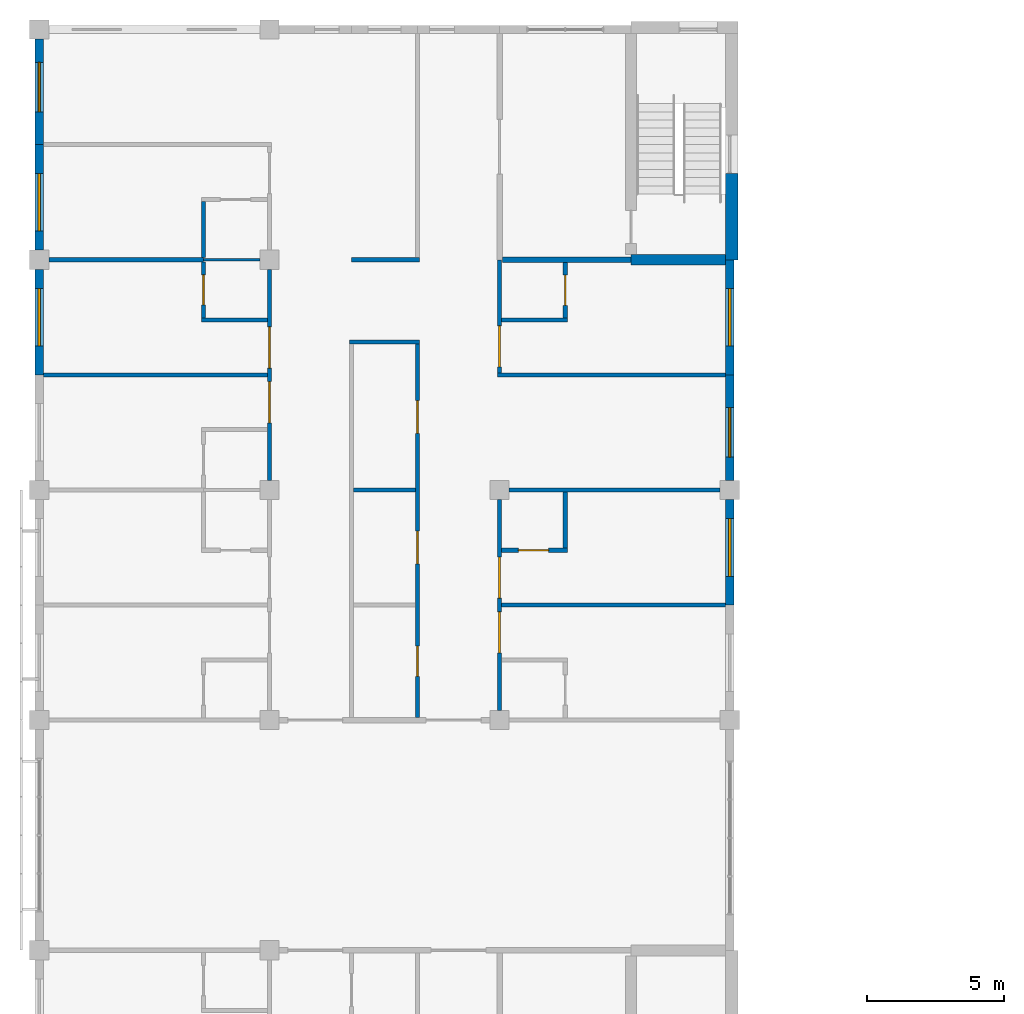
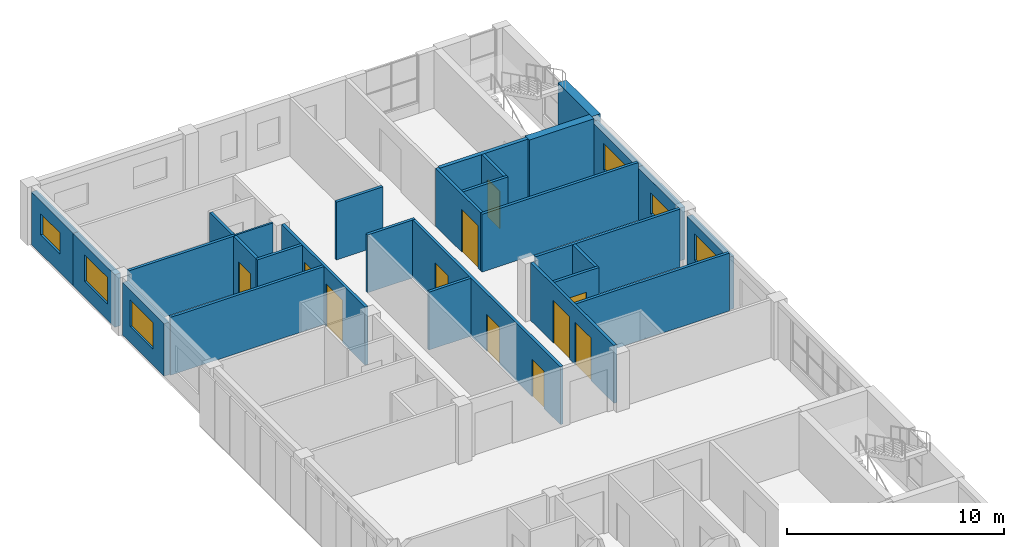
# One storey, part 33 of 45: 29 walls, 11 doors, 6 windows, 17 openings.
"""IFC4 building model written with IfcOpenShell, lengths in metres."""

from ifc_helpers import new_model, si_unit, direction, frame, frame_2d, origin, place, context, subcontext, project, spatial, rectangle, extrude, material, layer, layer_set, type_object, element, fill, save


model = new_model("IFC4")

# Units and contexts
model_context = context("Model", 3, precision=1e-05, world=origin(), true_north=direction((0.0, 1.0)))
body_context = subcontext(model_context, "Body", "Model", "MODEL_VIEW")
ifc_project = project(units=[si_unit("LENGTHUNIT", "METRE"), si_unit("AREAUNIT", "SQUARE_METRE"), si_unit("VOLUMEUNIT", "CUBIC_METRE"), si_unit("PLANEANGLEUNIT", "RADIAN"), si_unit("MASSUNIT", "GRAM", prefix="KILO")], contexts=[model_context])

# Site, building, storey
site_placement = place(None, origin())
site = spatial("IfcSite", under=ifc_project, at=site_placement, CompositionType="ELEMENT")
building_placement = place(site_placement, origin())
building = spatial("IfcBuilding", under=site, at=building_placement, Name="Yavir Park General Hospital", CompositionType="ELEMENT")
storey_placement = place(building_placement, frame((0.0, 0.0, 22.5)))
storey = spatial("IfcBuildingStorey", under=building, at=storey_placement, Name="L05", CompositionType="ELEMENT", Elevation=22.5)

# Walls
ifc_material_1 = material(Name="Double gypsum board fire partition on steel studs", Category="steel")
ifc_layer_1 = layer(ifc_material_1, 0.199951171875)
ifc_layer_set_1 = layer_set([ifc_layer_1], Name="Double gypsum board fire partition on steel studs")
wall_type_1 = type_object("IfcWallType", Name="Fire-rated partition 200, EI 60", PredefinedType="PARTITIONING", material=ifc_layer_set_1)
wall_1_placement = place(storey_placement, frame((16.89990234375, 109.199951171875, 0.0), z_axis=(0.0, 0.0, 1.0), x_axis=(1.0, 0.0, 0.0)))
element("IfcWall", 1, at=wall_1_placement, inside=storey, type_object=wall_type_1, Name="FP20 L05-136", PredefinedType="PARTITIONING", context=body_context, shape_type="SweptSolid", body=[
    extrude(rectangle(XDim=4.7001953125, YDim=0.199951171875, at=frame_2d((2.35009765625, 0.0))), origin(), (0.0, 0.0, 1.0), 3.260009765625),
])
ifc_material_2 = material(Name="Gypsum board partition on steel studs", Category="steel")
ifc_layer_2 = layer(ifc_material_2, 0.10009765625)
ifc_layer_set_2 = layer_set([ifc_layer_2], Name="Gypsum board partition on steel studs")
wall_type_2 = type_object("IfcWallType", Name="Gypsum board partition 100", PredefinedType="PARTITIONING", material=ifc_layer_set_2)
wall_2_placement = place(storey_placement, frame((6.0, 109.199951171875, 0.0), z_axis=(0.0, 0.0, 1.0), x_axis=(1.0, 0.0, 0.0)))
element("IfcWall", 2, at=wall_2_placement, inside=storey, type_object=wall_type_2, Name="P10 L05-134", PredefinedType="PARTITIONING", context=body_context, shape_type="SweptSolid", body=[
    extrude(rectangle(XDim=2.050048828125, YDim=0.10009765625, at=frame_2d((1.02490234375, 0.0))), origin(), (0.0, 0.0, 1.0), 3.260009765625),
])
ifc_material_3 = material(Name="Gypsum board partition on steel studs", Category="steel")
ifc_layer_3 = layer(ifc_material_3, 0.14990234375)
ifc_layer_set_3 = layer_set([ifc_layer_3], Name="Gypsum board partition on steel studs")
wall_type_3 = type_object("IfcWallType", Name="Gypsum board partition 150", PredefinedType="PARTITIONING", material=ifc_layer_set_3)
wall_3_placement = place(storey_placement, frame((16.875, 96.60009765625, 0.0), z_axis=(0.0, 0.0, 1.0), x_axis=(1.0, 0.0, 0.0)))
element("IfcWall", 3, at=wall_3_placement, inside=storey, type_object=wall_type_3, Name="P15 L05-120", PredefinedType="PARTITIONING", context=body_context, shape_type="SweptSolid", body=[
    extrude(rectangle(XDim=8.175048828125, YDim=0.14990234375, at=frame_2d((4.08740234375, 0.0))), origin(), (0.0, 0.0, 1.0), 3.260009765625),
])

# Wall, opening, door
wall_4_placement = place(storey_placement, frame((16.875, 98.60009765625, 0.0), z_axis=(0.0, 0.0, 1.0), x_axis=(1.0, 0.0, 0.0)))
wall_4 = element("IfcWall", 4, at=wall_4_placement, inside=storey, type_object=wall_type_3, Name="P15 L05-122", PredefinedType="PARTITIONING", context=body_context, shape_type="SweptSolid", body=[
    extrude(rectangle(XDim=2.39990234375, YDim=0.14990234375, at=frame_2d((1.199951171875, 0.0))), origin(), (0.0, 0.0, 1.0), 3.260009765625),
])
opening_1_placement = place(wall_4_placement, frame((0.612548828125, 0.0, 0.0)))
opening_1 = element("IfcOpeningElement", 5, at=opening_1_placement, cuts=wall_4, Name="Opening L05.D073", PredefinedType="OPENING", context=body_context, shape_type="SweptSolid", body=[
    extrude(rectangle(XDim=1.10009765625, YDim=2.10009765625, at=frame_2d((0.550048828125, 1.050048828125))), frame((0.0, 0.0849609375, 0.0), z_axis=(0.0, -1.0, 0.0), x_axis=(1.0, 0.0, 0.0)), (0.0, 0.0, 1.0), 0.169921875),
])
ifc_material_4 = material(Name="Hollow metal frame, solid-core timber leaf", Category="wood")
door_type_1 = type_object("IfcDoorType", Name="Single swing door 1100 x 2100", OperationType="SINGLE_SWING_LEFT", PredefinedType="DOOR", material=ifc_material_4)
door_1_placement = place(opening_1_placement, origin())
door_1 = element("IfcDoor", 6, at=door_1_placement, inside=storey, type_object=door_type_1, Name="L05.D073", OperationType="SINGLE_SWING_LEFT", OverallHeight=2.10009765625, OverallWidth=1.10009765625, PredefinedType="DOOR", context=body_context, shape_type="SweptSolid", body=[
    extrude(rectangle(XDim=1.10009765625, YDim=2.10009765625, at=frame_2d((0.550048828125, 1.050048828125))), frame((0.0, 0.02490234375, 0.0), z_axis=(0.0, -1.0, 0.0), x_axis=(1.0, 0.0, 0.0)), (0.0, 0.0, 1.0), 0.050048828125),
])
fill(opening_1, door_1)

# Walls
wall_5_placement = place(storey_placement, frame((11.47509765625, 100.800048828125, 0.0), z_axis=(0.0, 0.0, 1.0), x_axis=(1.0, 0.0, 0.0)))
element("IfcWall", 7, at=wall_5_placement, inside=storey, type_object=wall_type_3, Name="P15 L05-125", PredefinedType="PARTITIONING", context=body_context, shape_type="SweptSolid", body=[
    extrude(rectangle(XDim=2.25, YDim=0.14990234375, at=frame_2d((1.125, 0.0))), origin(), (0.0, 0.0, 1.0), 3.260009765625),
])
wall_6_placement = place(storey_placement, frame((17.14990234375, 100.800048828125, 0.0), z_axis=(0.0, 0.0, 1.0), x_axis=(1.0, 0.0, 0.0)))
element("IfcWall", 8, at=wall_6_placement, inside=storey, type_object=wall_type_3, Name="P15 L05-126", PredefinedType="PARTITIONING", context=body_context, shape_type="SweptSolid", body=[
    extrude(rectangle(XDim=7.7001953125, YDim=0.14990234375, at=frame_2d((3.85009765625, 0.0))), origin(), (0.0, 0.0, 1.0), 3.260009765625),
])
wall_7_placement = place(storey_placement, frame((0.14990234375, 105.0, 0.0), z_axis=(0.0, 0.0, 1.0), x_axis=(1.0, 0.0, 0.0)))
element("IfcWall", 9, at=wall_7_placement, inside=storey, type_object=wall_type_3, Name="P15 L05-128", PredefinedType="PARTITIONING", context=body_context, shape_type="SweptSolid", body=[
    extrude(rectangle(XDim=8.175048828125, YDim=0.14990234375, at=frame_2d((4.08740234375, 0.0))), origin(), (0.0, 0.0, 1.0), 3.260009765625),
])
wall_8_placement = place(storey_placement, frame((16.72509765625, 105.0, 0.0), z_axis=(0.0, 0.0, 1.0), x_axis=(1.0, 0.0, 0.0)))
element("IfcWall", 10, at=wall_8_placement, inside=storey, type_object=wall_type_3, Name="P15 L05-129", PredefinedType="PARTITIONING", context=body_context, shape_type="SweptSolid", body=[
    extrude(rectangle(XDim=8.324951171875, YDim=0.14990234375, at=frame_2d((4.16259765625, 0.0))), origin(), (0.0, 0.0, 1.0), 3.260009765625),
])
wall_9_placement = place(storey_placement, frame((11.324951171875, 106.199951171875, 0.0), z_axis=(0.0, 0.0, 1.0), x_axis=(1.0, 0.0, 0.0)))
element("IfcWall", 11, at=wall_9_placement, inside=storey, type_object=wall_type_3, Name="P15 L05-130", PredefinedType="PARTITIONING", context=body_context, shape_type="SweptSolid", body=[
    extrude(rectangle(XDim=2.550048828125, YDim=0.14990234375, at=frame_2d((1.27490234375, 0.0))), origin(), (0.0, 0.0, 1.0), 3.260009765625),
])
for number, where, z_axis, x_axis, name in (
    (12, (5.925048828125, 107.0, 0.0), (0.0, 0.0, 1.0), (1.0, 0.0, 0.0), "P15 L05-131"),
    (13, (16.875, 107.0, 0.0), (0.0, 0.0, 1.0), (1.0, 0.0, 0.0), "P15 L05-132"),
):
    element("IfcWall", number, at=place(storey_placement, frame(where, z_axis=z_axis, x_axis=x_axis)), inside=storey, type_object=wall_type_3, Name=name, PredefinedType="PARTITIONING", context=body_context, shape_type="SweptSolid", body=[
        extrude(rectangle(XDim=2.39990234375, YDim=0.14990234375, at=frame_2d((1.199951171875, 0.0))), origin(), (0.0, 0.0, 1.0), 3.260009765625),
    ])
wall_10_placement = place(storey_placement, frame((0.35009765625, 109.199951171875, 0.0), z_axis=(0.0, 0.0, 1.0), x_axis=(1.0, 0.0, 0.0)))
element("IfcWall", 14, at=wall_10_placement, inside=storey, type_object=wall_type_3, Name="P15 L05-133", PredefinedType="PARTITIONING", context=body_context, shape_type="SweptSolid", body=[
    extrude(rectangle(XDim=5.64990234375, YDim=0.14990234375, at=frame_2d((2.824951171875, 0.0))), origin(), (0.0, 0.0, 1.0), 3.260009765625),
])
wall_11_placement = place(storey_placement, frame((11.39990234375, 109.199951171875, 0.0), z_axis=(0.0, 0.0, 1.0), x_axis=(1.0, 0.0, 0.0)))
element("IfcWall", 15, at=wall_11_placement, inside=storey, type_object=wall_type_3, Name="P15 L05-135", PredefinedType="PARTITIONING", context=body_context, shape_type="SweptSolid", body=[
    extrude(rectangle(XDim=2.47509765625, YDim=0.14990234375, at=frame_2d((1.237548828125, 0.0))), origin(), (0.0, 0.0, 1.0), 3.260009765625),
])

# Wall, opening, door
wall_12_placement = place(storey_placement, frame((6.0, 107.074951171875, 0.0), z_axis=(0.0, 0.0, 1.0), x_axis=(0.0, 1.0, 0.0)))
wall_12 = element("IfcWall", 16, at=wall_12_placement, inside=storey, type_object=wall_type_3, Name="P15 L05-156", PredefinedType="PARTITIONING", context=body_context, shape_type="SweptSolid", body=[
    extrude(rectangle(XDim=2.050048828125, YDim=0.14990234375, at=frame_2d((1.02490234375, 0.0))), origin(), (0.0, 0.0, 1.0), 3.260009765625),
])
opening_2_placement = place(wall_12_placement, frame((0.47509765625, 0.0, 0.0)))
opening_2 = element("IfcOpeningElement", 17, at=opening_2_placement, cuts=wall_12, Name="Opening L05.D090", PredefinedType="OPENING", context=body_context, shape_type="SweptSolid", body=[
    extrude(rectangle(XDim=1.10009765625, YDim=2.10009765625, at=frame_2d((0.550048828125, 1.050048828125))), frame((0.0, 0.0849609375, 0.0), z_axis=(0.0, -1.0, 0.0), x_axis=(1.0, 0.0, 0.0)), (0.0, 0.0, 1.0), 0.169921875),
])
door_2_placement = place(opening_2_placement, origin())
door_2 = element("IfcDoor", 18, at=door_2_placement, inside=storey, type_object=door_type_1, Name="L05.D090", OperationType="SINGLE_SWING_LEFT", OverallHeight=2.10009765625, OverallWidth=1.10009765625, PredefinedType="DOOR", context=body_context, shape_type="SweptSolid", body=[
    extrude(rectangle(XDim=1.10009765625, YDim=2.10009765625, at=frame_2d((0.550048828125, 1.050048828125))), frame((0.0, 0.02490234375, 0.0), z_axis=(0.0, -1.0, 0.0), x_axis=(1.0, 0.0, 0.0)), (0.0, 0.0, 1.0), 0.050048828125),
])
fill(opening_2, door_2)

# Wall
wall_13_placement = place(storey_placement, frame((6.0, 109.27490234375, 0.0), z_axis=(0.0, 0.0, 1.0), x_axis=(0.0, 1.0, 0.0)))
element("IfcWall", 19, at=wall_13_placement, inside=storey, type_object=wall_type_3, Name="P15 L05-157", PredefinedType="PARTITIONING", context=body_context, shape_type="SweptSolid", body=[
    extrude(rectangle(XDim=2.050048828125, YDim=0.14990234375, at=frame_2d((1.02490234375, 0.0))), origin(), (0.0, 0.0, 1.0), 3.260009765625),
])

# Wall, openings, doors
wall_14_placement = place(storey_placement, frame((8.39990234375, 101.14990234375, 0.0), z_axis=(0.0, 0.0, 1.0), x_axis=(0.0, 1.0, 0.0)))
wall_14 = element("IfcWall", 20, at=wall_14_placement, inside=storey, type_object=wall_type_3, Name="P15 L05-170", PredefinedType="PARTITIONING", context=body_context, shape_type="SweptSolid", body=[
    extrude(rectangle(XDim=7.7001953125, YDim=0.14990234375, at=frame_2d((3.85009765625, 0.0))), origin(), (0.0, 0.0, 1.0), 3.260009765625),
])
opening_3_placement = place(wall_14_placement, frame((2.10009765625, 0.0, 0.0)))
opening_3 = element("IfcOpeningElement", 21, at=opening_3_placement, cuts=wall_14, Name="Opening L05.D104", PredefinedType="OPENING", context=body_context, shape_type="SweptSolid", body=[
    extrude(rectangle(XDim=1.5, YDim=2.39990234375, at=frame_2d((0.75, 1.199951171875))), frame((0.0, 0.0849609375, 0.0), z_axis=(0.0, -1.0, 0.0), x_axis=(1.0, 0.0, 0.0)), (0.0, 0.0, 1.0), 0.169921875),
])
opening_4_placement = place(wall_14_placement, frame((4.10009765625, 0.0, 0.0)))
opening_4 = element("IfcOpeningElement", 22, at=opening_4_placement, cuts=wall_14, Name="Opening L05.D105", PredefinedType="OPENING", context=body_context, shape_type="SweptSolid", body=[
    extrude(rectangle(XDim=1.5, YDim=2.39990234375, at=frame_2d((0.75, 1.199951171875))), frame((0.0, 0.0849609375, 0.0), z_axis=(0.0, -1.0, 0.0), x_axis=(1.0, 0.0, 0.0)), (0.0, 0.0, 1.0), 0.169921875),
])
ifc_material_5 = material(Name="Solid-core timber leaves, push plates, kick plates", Category="wood")
door_type_2 = type_object("IfcDoorType", Name="Bed door, unequal leaves 1500 x 2400", OperationType="DOUBLE_DOOR_SINGLE_SWING", PredefinedType="DOOR", material=ifc_material_5)
door_3_placement = place(opening_3_placement, origin())
door_3 = element("IfcDoor", 23, at=door_3_placement, inside=storey, type_object=door_type_2, Name="L05.D104", OperationType="SINGLE_SWING_RIGHT", OverallHeight=2.39990234375, OverallWidth=1.5, PredefinedType="DOOR", context=body_context, shape_type="SweptSolid", body=[
    extrude(rectangle(XDim=1.5, YDim=2.39990234375, at=frame_2d((0.75, 1.199951171875))), frame((0.0, 0.030029296875, 0.0), z_axis=(0.0, -1.0, 0.0), x_axis=(1.0, 0.0, 0.0)), (0.0, 0.0, 1.0), 0.06005859375),
])
fill(opening_3, door_3)
door_4_placement = place(opening_4_placement, origin())
door_4 = element("IfcDoor", 24, at=door_4_placement, inside=storey, type_object=door_type_2, Name="L05.D105", OperationType="SINGLE_SWING_RIGHT", OverallHeight=2.39990234375, OverallWidth=1.5, PredefinedType="DOOR", context=body_context, shape_type="SweptSolid", body=[
    extrude(rectangle(XDim=1.5, YDim=2.39990234375, at=frame_2d((0.75, 1.199951171875))), frame((0.0, 0.030029296875, 0.0), z_axis=(0.0, -1.0, 0.0), x_axis=(1.0, 0.0, 0.0)), (0.0, 0.0, 1.0), 0.06005859375),
])
fill(opening_4, door_4)

wall_15_placement = place(storey_placement, frame((13.800048828125, 92.5, 0.0), z_axis=(0.0, 0.0, 1.0), x_axis=(0.0, 1.0, 0.0)))
wall_15 = element("IfcWall", 25, at=wall_15_placement, inside=storey, type_object=wall_type_3, Name="P15 L05-181", PredefinedType="PARTITIONING", context=body_context, shape_type="SweptSolid", body=[
    extrude(rectangle(XDim=13.625, YDim=0.14990234375, at=frame_2d((6.8125, 0.0))), origin(), (0.0, 0.0, 1.0), 3.260009765625),
])
opening_5_placement = place(wall_15_placement, frame((1.5, 0.0, 0.0)))
opening_5 = element("IfcOpeningElement", 26, at=opening_5_placement, cuts=wall_15, Name="Opening L05.D116", PredefinedType="OPENING", context=body_context, shape_type="SweptSolid", body=[
    extrude(rectangle(XDim=1.10009765625, YDim=2.10009765625, at=frame_2d((0.550048828125, 1.050048828125))), frame((0.0, 0.0849609375, 0.0), z_axis=(0.0, -1.0, 0.0), x_axis=(1.0, 0.0, 0.0)), (0.0, 0.0, 1.0), 0.169921875),
])
opening_6_placement = place(wall_15_placement, frame((5.60009765625, 0.0, 0.0)))
opening_6 = element("IfcOpeningElement", 27, at=opening_6_placement, cuts=wall_15, Name="Opening L05.D117", PredefinedType="OPENING", context=body_context, shape_type="SweptSolid", body=[
    extrude(rectangle(XDim=1.199951171875, YDim=2.10009765625, at=frame_2d((0.60009765625, 1.050048828125))), frame((0.0, 0.0849609375, 0.0), z_axis=(0.0, -1.0, 0.0), x_axis=(1.0, 0.0, 0.0)), (0.0, 0.0, 1.0), 0.169921875),
])
opening_7_placement = place(wall_15_placement, frame((10.362548828125, 0.0, 0.0)))
opening_7 = element("IfcOpeningElement", 28, at=opening_7_placement, cuts=wall_15, Name="Opening L05.D118", PredefinedType="OPENING", context=body_context, shape_type="SweptSolid", body=[
    extrude(rectangle(XDim=1.199951171875, YDim=2.10009765625, at=frame_2d((0.60009765625, 1.050048828125))), frame((0.0, 0.0849609375, 0.0), z_axis=(0.0, -1.0, 0.0), x_axis=(1.0, 0.0, 0.0)), (0.0, 0.0, 1.0), 0.169921875),
])
door_5_placement = place(opening_5_placement, origin())
door_5 = element("IfcDoor", 29, at=door_5_placement, inside=storey, type_object=door_type_1, Name="L05.D116", OperationType="SINGLE_SWING_LEFT", OverallHeight=2.10009765625, OverallWidth=1.10009765625, PredefinedType="DOOR", context=body_context, shape_type="SweptSolid", body=[
    extrude(rectangle(XDim=1.10009765625, YDim=2.10009765625, at=frame_2d((0.550048828125, 1.050048828125))), frame((0.0, 0.02490234375, 0.0), z_axis=(0.0, -1.0, 0.0), x_axis=(1.0, 0.0, 0.0)), (0.0, 0.0, 1.0), 0.050048828125),
])
fill(opening_5, door_5)
ifc_material_6 = material(Name="Hollow metal frame, solid-core timber leaf", Category="wood")
door_type_3 = type_object("IfcDoorType", Name="Single swing door 1200 x 2100", OperationType="SINGLE_SWING_LEFT", PredefinedType="DOOR", material=ifc_material_6)
door_6_placement = place(opening_6_placement, origin())
door_6 = element("IfcDoor", 30, at=door_6_placement, inside=storey, type_object=door_type_3, Name="L05.D117", OperationType="SINGLE_SWING_RIGHT", OverallHeight=2.10009765625, OverallWidth=1.199951171875, PredefinedType="DOOR", context=body_context, shape_type="SweptSolid", body=[
    extrude(rectangle(XDim=1.199951171875, YDim=2.10009765625, at=frame_2d((0.60009765625, 1.050048828125))), frame((0.0, 0.02490234375, 0.0), z_axis=(0.0, -1.0, 0.0), x_axis=(1.0, 0.0, 0.0)), (0.0, 0.0, 1.0), 0.050048828125),
])
fill(opening_6, door_6)
door_7_placement = place(opening_7_placement, origin())
door_7 = element("IfcDoor", 31, at=door_7_placement, inside=storey, type_object=door_type_3, Name="L05.D118", OperationType="SINGLE_SWING_RIGHT", OverallHeight=2.10009765625, OverallWidth=1.199951171875, PredefinedType="DOOR", context=body_context, shape_type="SweptSolid", body=[
    extrude(rectangle(XDim=1.199951171875, YDim=2.10009765625, at=frame_2d((0.60009765625, 1.050048828125))), frame((0.0, 0.02490234375, 0.0), z_axis=(0.0, -1.0, 0.0), x_axis=(1.0, 0.0, 0.0)), (0.0, 0.0, 1.0), 0.050048828125),
])
fill(opening_7, door_7)

wall_16_placement = place(storey_placement, frame((16.800048828125, 92.75, 0.0), z_axis=(0.0, 0.0, 1.0), x_axis=(0.0, 1.0, 0.0)))
wall_16 = element("IfcWall", 32, at=wall_16_placement, inside=storey, type_object=wall_type_3, Name="P15 L05-193", PredefinedType="PARTITIONING", context=body_context, shape_type="SweptSolid", body=[
    extrude(rectangle(XDim=7.699951171875, YDim=0.14990234375, at=frame_2d((3.85009765625, 0.0))), origin(), (0.0, 0.0, 1.0), 3.260009765625),
])
opening_8_placement = place(wall_16_placement, frame((2.10009765625, 0.0, 0.0)))
opening_8 = element("IfcOpeningElement", 33, at=opening_8_placement, cuts=wall_16, Name="Opening L05.D128", PredefinedType="OPENING", context=body_context, shape_type="SweptSolid", body=[
    extrude(rectangle(XDim=1.5, YDim=2.39990234375, at=frame_2d((0.75, 1.199951171875))), frame((0.0, 0.0849609375, 0.0), z_axis=(0.0, -1.0, 0.0), x_axis=(1.0, 0.0, 0.0)), (0.0, 0.0, 1.0), 0.169921875),
])
opening_9_placement = place(wall_16_placement, frame((4.10009765625, 0.0, 0.0)))
opening_9 = element("IfcOpeningElement", 34, at=opening_9_placement, cuts=wall_16, Name="Opening L05.D129", PredefinedType="OPENING", context=body_context, shape_type="SweptSolid", body=[
    extrude(rectangle(XDim=1.5, YDim=2.39990234375, at=frame_2d((0.75, 1.199951171875))), frame((0.0, 0.0849609375, 0.0), z_axis=(0.0, -1.0, 0.0), x_axis=(1.0, 0.0, 0.0)), (0.0, 0.0, 1.0), 0.169921875),
])
door_8_placement = place(opening_8_placement, origin())
door_8 = element("IfcDoor", 35, at=door_8_placement, inside=storey, type_object=door_type_2, Name="L05.D128", OperationType="SINGLE_SWING_LEFT", OverallHeight=2.39990234375, OverallWidth=1.5, PredefinedType="DOOR", context=body_context, shape_type="SweptSolid", body=[
    extrude(rectangle(XDim=1.5, YDim=2.39990234375, at=frame_2d((0.75, 1.199951171875))), frame((0.0, 0.030029296875, 0.0), z_axis=(0.0, -1.0, 0.0), x_axis=(1.0, 0.0, 0.0)), (0.0, 0.0, 1.0), 0.06005859375),
])
fill(opening_8, door_8)
door_9_placement = place(opening_9_placement, origin())
door_9 = element("IfcDoor", 36, at=door_9_placement, inside=storey, type_object=door_type_2, Name="L05.D129", OperationType="SINGLE_SWING_LEFT", OverallHeight=2.39990234375, OverallWidth=1.5, PredefinedType="DOOR", context=body_context, shape_type="SweptSolid", body=[
    extrude(rectangle(XDim=1.5, YDim=2.39990234375, at=frame_2d((0.75, 1.199951171875))), frame((0.0, 0.030029296875, 0.0), z_axis=(0.0, -1.0, 0.0), x_axis=(1.0, 0.0, 0.0)), (0.0, 0.0, 1.0), 0.06005859375),
])
fill(opening_9, door_9)

# Wall, opening, door
wall_17_placement = place(storey_placement, frame((16.800048828125, 105.074951171875, 0.0), z_axis=(0.0, 0.0, 1.0), x_axis=(0.0, 1.0, 0.0)))
wall_17 = element("IfcWall", 37, at=wall_17_placement, inside=storey, type_object=wall_type_3, Name="P15 L05-194", PredefinedType="PARTITIONING", context=body_context, shape_type="SweptSolid", body=[
    extrude(rectangle(XDim=4.125, YDim=0.14990234375, at=frame_2d((2.0625, 0.0))), origin(), (0.0, 0.0, 1.0), 3.260009765625),
])
opening_10_placement = place(wall_17_placement, frame((0.21240234375, 0.0, 0.0)))
opening_10 = element("IfcOpeningElement", 38, at=opening_10_placement, cuts=wall_17, Name="Opening L05.D130", PredefinedType="OPENING", context=body_context, shape_type="SweptSolid", body=[
    extrude(rectangle(XDim=1.5, YDim=2.39990234375, at=frame_2d((0.75, 1.199951171875))), frame((0.0, 0.0849609375, 0.0), z_axis=(0.0, -1.0, 0.0), x_axis=(1.0, 0.0, 0.0)), (0.0, 0.0, 1.0), 0.169921875),
])
door_10_placement = place(opening_10_placement, origin())
door_10 = element("IfcDoor", 39, at=door_10_placement, inside=storey, type_object=door_type_2, Name="L05.D130", OperationType="SINGLE_SWING_RIGHT", OverallHeight=2.39990234375, OverallWidth=1.5, PredefinedType="DOOR", context=body_context, shape_type="SweptSolid", body=[
    extrude(rectangle(XDim=1.5, YDim=2.39990234375, at=frame_2d((0.75, 1.199951171875))), frame((0.0, 0.030029296875, 0.0), z_axis=(0.0, -1.0, 0.0), x_axis=(1.0, 0.0, 0.0)), (0.0, 0.0, 1.0), 0.06005859375),
])
fill(opening_10, door_10)

# Wall
wall_18_placement = place(storey_placement, frame((19.199951171875, 98.675048828125, 0.0), z_axis=(0.0, 0.0, 1.0), x_axis=(0.0, 1.0, 0.0)))
element("IfcWall", 40, at=wall_18_placement, inside=storey, type_object=wall_type_3, Name="P15 L05-204", PredefinedType="PARTITIONING", context=body_context, shape_type="SweptSolid", body=[
    extrude(rectangle(XDim=2.050048828125, YDim=0.14990234375, at=frame_2d((1.02490234375, 0.0))), origin(), (0.0, 0.0, 1.0), 3.260009765625),
])

# Wall, opening, door
wall_19_placement = place(storey_placement, frame((19.199951171875, 107.074951171875, 0.0), z_axis=(0.0, 0.0, 1.0), x_axis=(0.0, 1.0, 0.0)))
wall_19 = element("IfcWall", 41, at=wall_19_placement, inside=storey, type_object=wall_type_3, Name="P15 L05-205", PredefinedType="PARTITIONING", context=body_context, shape_type="SweptSolid", body=[
    extrude(rectangle(XDim=2.025146484375, YDim=0.14990234375, at=frame_2d((1.0126953125, 0.0))), origin(), (0.0, 0.0, 1.0), 3.260009765625),
])
opening_11_placement = place(wall_19_placement, frame((0.46240234375, 0.0, 0.0)))
opening_11 = element("IfcOpeningElement", 42, at=opening_11_placement, cuts=wall_19, Name="Opening L05.D137", PredefinedType="OPENING", context=body_context, shape_type="SweptSolid", body=[
    extrude(rectangle(XDim=1.10009765625, YDim=2.10009765625, at=frame_2d((0.550048828125, 1.050048828125))), frame((0.0, 0.0849609375, 0.0), z_axis=(0.0, -1.0, 0.0), x_axis=(1.0, 0.0, 0.0)), (0.0, 0.0, 1.0), 0.169921875),
])
door_11_placement = place(opening_11_placement, origin())
door_11 = element("IfcDoor", 43, at=door_11_placement, inside=storey, type_object=door_type_1, Name="L05.D137", OperationType="SINGLE_SWING_RIGHT", OverallHeight=2.10009765625, OverallWidth=1.10009765625, PredefinedType="DOOR", context=body_context, shape_type="SweptSolid", body=[
    extrude(rectangle(XDim=1.10009765625, YDim=2.10009765625, at=frame_2d((0.550048828125, 1.050048828125))), frame((0.0, 0.02490234375, 0.0), z_axis=(0.0, -1.0, 0.0), x_axis=(1.0, 0.0, 0.0)), (0.0, 0.0, 1.0), 0.050048828125),
])
fill(opening_11, door_11)

# Wall, opening, window
ifc_material_7 = material(Name="Autoclaved aerated block, mineral wool and ochre mineral render")
ifc_layer_4 = layer(ifc_material_7, 0.300048828125)
ifc_layer_set_4 = layer_set([ifc_layer_4], Name="Autoclaved aerated block, mineral wool and ochre mineral render")
wall_type_4 = type_object("IfcWallType", Name="Ochre render ward wall 300, E 30", PredefinedType="SOLIDWALL", material=ifc_layer_set_4)
wall_20_placement = place(storey_placement, frame((0.0, 105.0, 0.0), z_axis=(0.0, 0.0, 1.0), x_axis=(0.0, 1.0, 0.0)))
wall_20 = element("IfcWall", 44, at=wall_20_placement, inside=storey, type_object=wall_type_4, Name="XW7 L05-097", PredefinedType="SOLIDWALL", context=body_context, shape_type="SweptSolid", body=[
    extrude(rectangle(XDim=3.85009765625, YDim=0.300048828125, at=frame_2d((1.925048828125, 0.0))), origin(), (0.0, 0.0, 1.0), 2.9599609375),
])
opening_12_placement = place(wall_20_placement, frame((1.050048828125, 0.0, 0.89990234375)))
opening_12 = element("IfcOpeningElement", 45, at=opening_12_placement, cuts=wall_20, Name="Opening WAR", PredefinedType="OPENING", context=body_context, shape_type="SweptSolid", body=[
    extrude(rectangle(XDim=2.10009765625, YDim=1.5, at=frame_2d((1.050048828125, 0.75))), frame((0.0, 0.159912109375, 0.0), z_axis=(0.0, -1.0, 0.0), x_axis=(1.0, 0.0, 0.0)), (0.0, 0.0, 1.0), 0.320068359375),
])
ifc_material_8 = material(Name="Aluminium frame, tilt-and-turn sash with opening restrictor, double glazed unit", Category="aluminium")
window_type_1 = type_object("IfcWindowType", Name="Ward window, restricted opening 2100 x 1500", PartitioningType="DOUBLE_PANEL_VERTICAL", PredefinedType="WINDOW", material=ifc_material_8)
window_1_placement = place(opening_12_placement, origin())
window_1 = element("IfcWindow", 46, at=window_1_placement, inside=storey, type_object=window_type_1, Name="WAR L05-041", OverallHeight=1.5, OverallWidth=2.10009765625, PartitioningType="DOUBLE_PANEL_VERTICAL", PredefinedType="WINDOW", context=body_context, shape_type="SweptSolid", body=[
    extrude(rectangle(XDim=2.10009765625, YDim=1.5, at=frame_2d((1.050048828125, 0.75))), frame((0.0, 0.050048828125, 0.0), z_axis=(0.0, -1.0, 0.0), x_axis=(1.0, 0.0, 0.0)), (0.0, 0.0, 1.0), 0.10009765625),
])
fill(opening_12, window_1)

wall_21_placement = place(storey_placement, frame((0.0, 109.550048828125, 0.0), z_axis=(0.0, 0.0, 1.0), x_axis=(0.0, 1.0, 0.0)))
wall_21 = element("IfcWall", 47, at=wall_21_placement, inside=storey, type_object=wall_type_4, Name="XW7 L05-098", PredefinedType="SOLIDWALL", context=body_context, shape_type="SweptSolid", body=[
    extrude(rectangle(XDim=3.849853515625, YDim=0.300048828125, at=frame_2d((1.9248046875, 0.0))), origin(), (0.0, 0.0, 1.0), 2.9599609375),
])
opening_13_placement = place(wall_21_placement, frame((0.699951171875, 0.0, 0.89990234375)))
opening_13 = element("IfcOpeningElement", 48, at=opening_13_placement, cuts=wall_21, Name="Opening WAR", PredefinedType="OPENING", context=body_context, shape_type="SweptSolid", body=[
    extrude(rectangle(XDim=2.10009765625, YDim=1.5, at=frame_2d((1.050048828125, 0.75))), frame((0.0, 0.159912109375, 0.0), z_axis=(0.0, -1.0, 0.0), x_axis=(1.0, 0.0, 0.0)), (0.0, 0.0, 1.0), 0.320068359375),
])
window_2_placement = place(opening_13_placement, origin())
window_2 = element("IfcWindow", 49, at=window_2_placement, inside=storey, type_object=window_type_1, Name="WAR L05-042", OverallHeight=1.5, OverallWidth=2.10009765625, PartitioningType="DOUBLE_PANEL_VERTICAL", PredefinedType="WINDOW", context=body_context, shape_type="SweptSolid", body=[
    extrude(rectangle(XDim=2.10009765625, YDim=1.5, at=frame_2d((1.050048828125, 0.75))), frame((0.0, 0.050048828125, 0.0), z_axis=(0.0, -1.0, 0.0), x_axis=(1.0, 0.0, 0.0)), (0.0, 0.0, 1.0), 0.10009765625),
])
fill(opening_13, window_2)

wall_22_placement = place(storey_placement, frame((0.0, 113.39990234375, 0.0), z_axis=(0.0, 0.0, 1.0), x_axis=(0.0, 1.0, 0.0)))
wall_22 = element("IfcWall", 50, at=wall_22_placement, inside=storey, type_object=wall_type_4, Name="XW7 L05-099", PredefinedType="SOLIDWALL", context=body_context, shape_type="SweptSolid", body=[
    extrude(rectangle(XDim=3.85009765625, YDim=0.300048828125, at=frame_2d((1.925048828125, 0.0))), origin(), (0.0, 0.0, 1.0), 2.9599609375),
])
opening_14_placement = place(wall_22_placement, frame((1.199951171875, 0.0, 1.050048828125)))
opening_14 = element("IfcOpeningElement", 51, at=opening_14_placement, cuts=wall_22, Name="Opening WQ", PredefinedType="OPENING", context=body_context, shape_type="SweptSolid", body=[
    extrude(rectangle(XDim=1.800048828125, YDim=1.199951171875, at=frame_2d((0.89990234375, 0.60009765625))), frame((0.0, 0.159912109375, 0.0), z_axis=(0.0, -1.0, 0.0), x_axis=(1.0, 0.0, 0.0)), (0.0, 0.0, 1.0), 0.320068359375),
])
ifc_material_9 = material(Name="Aluminium frame, double glazed unit", Category="aluminium")
window_type_2 = type_object("IfcWindowType", Name="Dining room window 1800 x 1200", PartitioningType="DOUBLE_PANEL_VERTICAL", PredefinedType="WINDOW", material=ifc_material_9)
window_3_placement = place(opening_14_placement, origin())
window_3 = element("IfcWindow", 52, at=window_3_placement, inside=storey, type_object=window_type_2, Name="WQ L05-043", OverallHeight=1.199951171875, OverallWidth=1.800048828125, PartitioningType="DOUBLE_PANEL_VERTICAL", PredefinedType="WINDOW", context=body_context, shape_type="SweptSolid", body=[
    extrude(rectangle(XDim=1.800048828125, YDim=1.199951171875, at=frame_2d((0.89990234375, 0.60009765625))), frame((0.0, 0.030029296875, 0.0), z_axis=(0.0, -1.0, 0.0), x_axis=(1.0, 0.0, 0.0)), (0.0, 0.0, 1.0), 0.06005859375),
])
fill(opening_14, window_3)

wall_23_placement = place(storey_placement, frame((25.199951171875, 96.60009765625, 0.0), z_axis=(0.0, 0.0, 1.0), x_axis=(0.0, 1.0, 0.0)))
wall_23 = element("IfcWall", 53, at=wall_23_placement, inside=storey, type_object=wall_type_4, Name="XW7 L05-121", PredefinedType="SOLIDWALL", context=body_context, shape_type="SweptSolid", body=[
    extrude(rectangle(XDim=3.849853515625, YDim=0.300048828125, at=frame_2d((1.9248046875, 0.0))), origin(), (0.0, 0.0, 1.0), 2.9599609375),
])
opening_15_placement = place(wall_23_placement, frame((1.050048828125, 0.0, 0.89990234375)))
opening_15 = element("IfcOpeningElement", 54, at=opening_15_placement, cuts=wall_23, Name="Opening WAR", PredefinedType="OPENING", context=body_context, shape_type="SweptSolid", body=[
    extrude(rectangle(XDim=2.10009765625, YDim=1.5, at=frame_2d((1.050048828125, 0.75))), frame((0.0, 0.159912109375, 0.0), z_axis=(0.0, -1.0, 0.0), x_axis=(1.0, 0.0, 0.0)), (0.0, 0.0, 1.0), 0.320068359375),
])
window_4_placement = place(opening_15_placement, origin())
window_4 = element("IfcWindow", 55, at=window_4_placement, inside=storey, type_object=window_type_1, Name="WAR L05-052", OverallHeight=1.5, OverallWidth=2.10009765625, PartitioningType="DOUBLE_PANEL_VERTICAL", PredefinedType="WINDOW", context=body_context, shape_type="SweptSolid", body=[
    extrude(rectangle(XDim=2.10009765625, YDim=1.5, at=frame_2d((1.050048828125, 0.75))), frame((0.0, 0.050048828125, 0.0), z_axis=(0.0, -1.0, 0.0), x_axis=(1.0, 0.0, 0.0)), (0.0, 0.0, 1.0), 0.10009765625),
])
fill(opening_15, window_4)

wall_24_placement = place(storey_placement, frame((25.199951171875, 101.14990234375, 0.0), z_axis=(0.0, 0.0, 1.0), x_axis=(0.0, 1.0, 0.0)))
wall_24 = element("IfcWall", 56, at=wall_24_placement, inside=storey, type_object=wall_type_4, Name="XW7 L05-122", PredefinedType="SOLIDWALL", context=body_context, shape_type="SweptSolid", body=[
    extrude(rectangle(XDim=3.85009765625, YDim=0.300048828125, at=frame_2d((1.925048828125, 0.0))), origin(), (0.0, 0.0, 1.0), 2.9599609375),
])
opening_16_placement = place(wall_24_placement, frame((0.85009765625, 0.0, 1.050048828125)))
opening_16 = element("IfcOpeningElement", 57, at=opening_16_placement, cuts=wall_24, Name="Opening WQ", PredefinedType="OPENING", context=body_context, shape_type="SweptSolid", body=[
    extrude(rectangle(XDim=1.800048828125, YDim=1.199951171875, at=frame_2d((0.89990234375, 0.60009765625))), frame((0.0, 0.159912109375, 0.0), z_axis=(0.0, -1.0, 0.0), x_axis=(1.0, 0.0, 0.0)), (0.0, 0.0, 1.0), 0.320068359375),
])
window_5_placement = place(opening_16_placement, origin())
window_5 = element("IfcWindow", 58, at=window_5_placement, inside=storey, type_object=window_type_2, Name="WQ L05-053", OverallHeight=1.199951171875, OverallWidth=1.800048828125, PartitioningType="DOUBLE_PANEL_VERTICAL", PredefinedType="WINDOW", context=body_context, shape_type="SweptSolid", body=[
    extrude(rectangle(XDim=1.800048828125, YDim=1.199951171875, at=frame_2d((0.89990234375, 0.60009765625))), frame((0.0, 0.030029296875, 0.0), z_axis=(0.0, -1.0, 0.0), x_axis=(1.0, 0.0, 0.0)), (0.0, 0.0, 1.0), 0.06005859375),
])
fill(opening_16, window_5)

wall_25_placement = place(storey_placement, frame((25.199951171875, 105.0, 0.0), z_axis=(0.0, 0.0, 1.0), x_axis=(0.0, 1.0, 0.0)))
wall_25 = element("IfcWall", 59, at=wall_25_placement, inside=storey, type_object=wall_type_4, Name="XW7 L05-123", PredefinedType="SOLIDWALL", context=body_context, shape_type="SweptSolid", body=[
    extrude(rectangle(XDim=4.199951171875, YDim=0.300048828125, at=frame_2d((2.10009765625, 0.0))), origin(), (0.0, 0.0, 1.0), 2.9599609375),
])
opening_17_placement = place(wall_25_placement, frame((1.050048828125, 0.0, 0.89990234375)))
opening_17 = element("IfcOpeningElement", 60, at=opening_17_placement, cuts=wall_25, Name="Opening WAR", PredefinedType="OPENING", context=body_context, shape_type="SweptSolid", body=[
    extrude(rectangle(XDim=2.10009765625, YDim=1.5, at=frame_2d((1.050048828125, 0.75))), frame((0.0, 0.159912109375, 0.0), z_axis=(0.0, -1.0, 0.0), x_axis=(1.0, 0.0, 0.0)), (0.0, 0.0, 1.0), 0.320068359375),
])
window_6_placement = place(opening_17_placement, origin())
window_6 = element("IfcWindow", 61, at=window_6_placement, inside=storey, type_object=window_type_1, Name="WAR L05-054", OverallHeight=1.5, OverallWidth=2.10009765625, PartitioningType="DOUBLE_PANEL_VERTICAL", PredefinedType="WINDOW", context=body_context, shape_type="SweptSolid", body=[
    extrude(rectangle(XDim=2.10009765625, YDim=1.5, at=frame_2d((1.050048828125, 0.75))), frame((0.0, 0.050048828125, 0.0), z_axis=(0.0, -1.0, 0.0), x_axis=(1.0, 0.0, 0.0)), (0.0, 0.0, 1.0), 0.10009765625),
])
fill(opening_17, window_6)

# Walls
ifc_material_10 = material(Name="Concrete C35/45", Category="concrete")
ifc_layer_5 = layer(ifc_material_10, 0.39990234375)
ifc_layer_set_5 = layer_set([ifc_layer_5], Name="Concrete C35/45")
wall_type_5 = type_object("IfcWallType", Name="Reinforced concrete core wall 400, REI 150", PredefinedType="SHEAR", material=ifc_layer_set_5)
wall_26_placement = place(storey_placement, frame((21.60009765625, 109.199951171875, 0.0), z_axis=(0.0, 0.0, 1.0), x_axis=(1.0, 0.0, 0.0)))
element("IfcWall", 62, at=wall_26_placement, inside=storey, type_object=wall_type_5, Name="CW40 L05-137", PredefinedType="SHEAR", context=body_context, shape_type="SweptSolid", body=[
    extrude(rectangle(XDim=3.449951171875, YDim=0.39990234375, at=frame_2d((1.72509765625, 0.0))), origin(), (0.0, 0.0, 1.0), 3.260009765625),
])
ifc_material_11 = material(Name="Concrete C30/37 precast panel with 150 mm mineral wool insulation", Category="concrete")
ifc_layer_6 = layer(ifc_material_11, 0.449951171875)
ifc_layer_set_6 = layer_set([ifc_layer_6], Name="Concrete C30/37 precast panel with 150 mm mineral wool insulation")
wall_type_6 = type_object("IfcWallType", Name="Stair enclosure wall 450, REI 150", PredefinedType="SOLIDWALL", material=ifc_layer_set_6)
wall_27_placement = place(storey_placement, frame((25.27490234375, 109.199951171875, 0.0), z_axis=(0.0, 0.0, 1.0), x_axis=(0.0, 1.0, 0.0)))
element("IfcWall", 63, at=wall_27_placement, inside=storey, type_object=wall_type_6, Name="XW6 L05-124", PredefinedType="SOLIDWALL", context=body_context, shape_type="SweptSolid", body=[
    extrude(rectangle(XDim=3.150146484375, YDim=0.449951171875, at=frame_2d((1.5751953125, 0.0))), origin(), (0.0, 0.0, 1.0), 3.260009765625),
])

save(model, "model.ifc")
